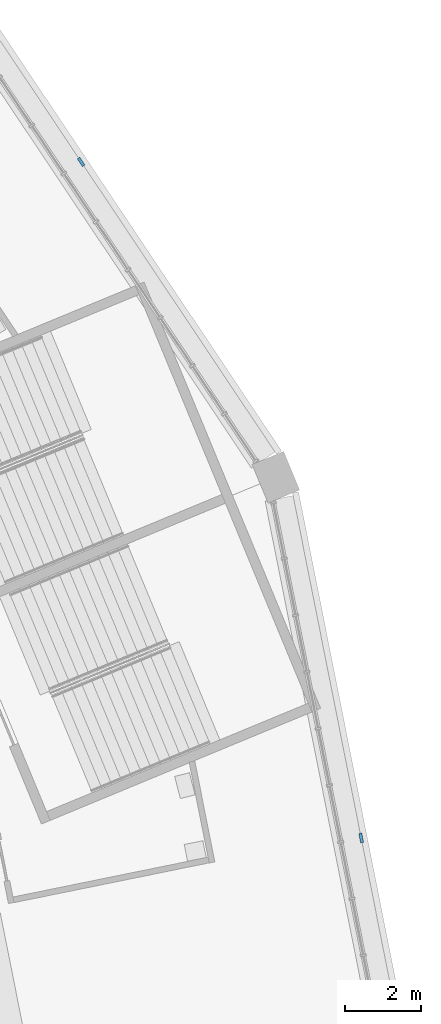
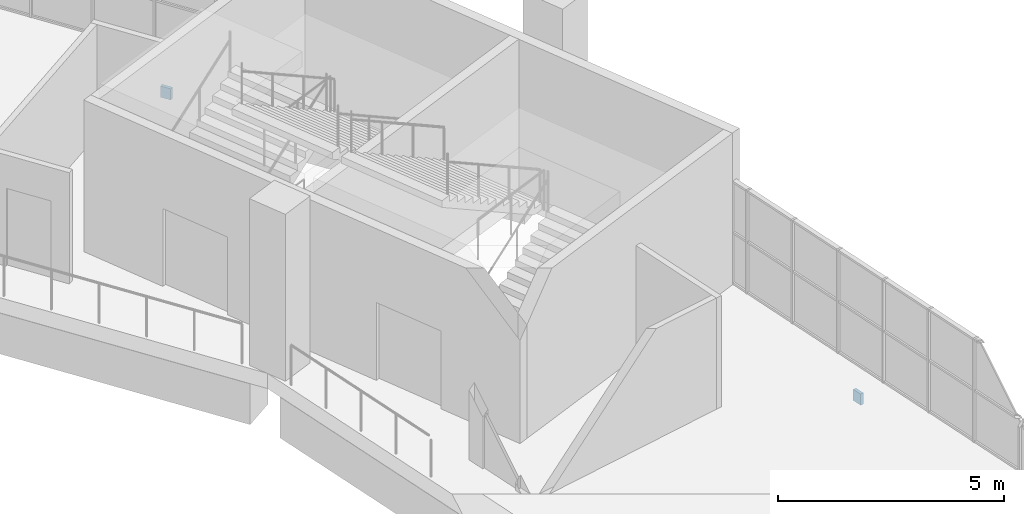
# One storey, part 82 of 177: 2 discrete accessories.
"""IFC4 building model written with IfcOpenShell, lengths in metres."""

import ifcopenshell
import ifcopenshell.guid

model = None  # the IFC model being written
_history = None  # IfcOwnerHistory: only IFC2X3 demands one
_inside = {}  # id of a spatial element -> (the spatial element, [elements in it])
_under = {}  # id of a project, library or spatial element -> (it, [spatial elements below it])
_declared = {}  # id of a project -> (the project, [libraries it declares])
_typed = {}  # id of a type object -> (the type object, [elements of that type])
_made_of = {}  # id of a material, layer set ... -> (it, [elements and type objects made of it])


def new_model(schema):
    """Start an empty IFC model of exactly this schema.

    Asked for "IFC4X3", IfcOpenShell would pick the latest addendum, in which some entities
    have other attributes; the version numbers below select the first issue.
    IFC2X3 requires an IfcOwnerHistory on every rooted entity: one is made here for all.
    """
    global model, _history
    if schema == "IFC4X3":
        model = ifcopenshell.file(schema_version=(4, 3, 0, 0))
    else:
        model = ifcopenshell.file(schema=schema)
    _inside.clear()
    _under.clear()
    _declared.clear()
    _typed.clear()
    _made_of.clear()
    _history = None
    if model.schema == "IFC2X3":
        org = make("IfcOrganization", Name="unknown")
        user = make(
            "IfcPersonAndOrganization",
            ThePerson=make("IfcPerson", FamilyName="unknown"),
            TheOrganization=org,
        )
        app = make(
            "IfcApplication",
            ApplicationDeveloper=org,
            Version="unknown",
            ApplicationFullName="unknown",
            ApplicationIdentifier="unknown",
        )
        _history = make(
            "IfcOwnerHistory",
            OwningUser=user,
            OwningApplication=app,
            ChangeAction="ADDED",
            CreationDate=0,
        )
    return model


def make(cls, **values):
    """One entity of the class cls with the attributes given. An attribute that is None is left unset."""
    return model.create_entity(
        cls, **{name: value for name, value in values.items() if value is not None}
    )


def rooted(cls, **values):
    """An entity with a GlobalId (a new one), such as an element, a storey or a relation."""
    return make(cls, GlobalId=ifcopenshell.guid.new(), OwnerHistory=_history, **values)


def si_unit(unit_type, name, prefix=None):
    """IfcSIUnit, for example si_unit("LENGTHUNIT", "METRE", prefix="MILLI")."""
    return make("IfcSIUnit", UnitType=unit_type, Prefix=prefix, Name=name)


def assignment(units):
    """IfcUnitAssignment: the units of a project."""
    return None if units is None else make("IfcUnitAssignment", Units=units)


def point(xyz):
    """IfcCartesianPoint."""
    return None if xyz is None else make("IfcCartesianPoint", Coordinates=xyz)


def direction(xyz):
    """IfcDirection."""
    return None if xyz is None else make("IfcDirection", DirectionRatios=xyz)


def frame(location, z_axis=None, x_axis=None):
    """IfcAxis2Placement3D, a coordinate frame: its origin and axes. An axis left out is left unset."""
    return make(
        "IfcAxis2Placement3D",
        Location=point(location),
        Axis=direction(z_axis),
        RefDirection=direction(x_axis),
    )


def frame_2d(location, x_axis=None):
    """IfcAxis2Placement2D, a coordinate frame in the plane: its origin and x axis."""
    return make(
        "IfcAxis2Placement2D", Location=point(location), RefDirection=direction(x_axis)
    )


def origin():
    """The frame at (0, 0, 0) with its axes left unset."""
    return frame((0.0, 0.0, 0.0))


def origin_2d():
    """The frame at (0, 0) in the plane with its x axis left unset."""
    return frame_2d((0.0, 0.0))


def place(relative_to, where):
    """IfcLocalPlacement: puts the frame where relative to a parent placement (None: the world)."""
    return make(
        "IfcLocalPlacement", PlacementRelTo=relative_to, RelativePlacement=where
    )


def context(
    kind, dimensions, precision=None, world=None, true_north=None, identifier=None
):
    """IfcGeometricRepresentationContext, for example the 3D "Model" context."""
    return make(
        "IfcGeometricRepresentationContext",
        ContextIdentifier=identifier,
        ContextType=kind,
        CoordinateSpaceDimension=dimensions,
        Precision=precision,
        WorldCoordinateSystem=world,
        TrueNorth=true_north,
    )


def subcontext(parent, identifier, kind, view, scale=None):
    """IfcGeometricRepresentationSubContext, for example "Body" below "Model"."""
    return make(
        "IfcGeometricRepresentationSubContext",
        ContextIdentifier=identifier,
        ContextType=kind,
        ParentContext=parent,
        TargetScale=scale,
        TargetView=view,
    )


def project(units=None, contexts=None):
    """IfcProject with its units and contexts."""
    return rooted(
        "IfcProject",
        Name="project",
        RepresentationContexts=contexts,
        UnitsInContext=assignment(units),
    )


def spatial(cls, under=None, at=None, **own):
    """A site, building, storey or space (cls), placed at a placement, below another one or the project."""
    s = rooted(cls, ObjectPlacement=at, **own)
    if under is not None:
        _under.setdefault(under.id(), (under, []))[1].append(s)
    return s


def profile(cls, at=None, kind="AREA", **sizes):
    """A parametric profile (cls). Its sizes go by their IFC names, for example OverallWidth=200.0."""
    return make(cls, ProfileType=kind, Position=at, **sizes)


def rectangle(**sizes):
    """IfcRectangleProfileDef."""
    return profile("IfcRectangleProfileDef", **sizes)


def extrude(swept, where, along, depth):
    """IfcExtrudedAreaSolid: the profile swept, set in the frame where, extruded along a direction by depth."""
    return make(
        "IfcExtrudedAreaSolid",
        SweptArea=swept,
        Position=where,
        ExtrudedDirection=direction(along),
        Depth=depth,
    )


def shape(context_of_items, identifier, shape_type, items):
    """IfcShapeRepresentation: the items that make up one representation, for example the "Body"."""
    return make(
        "IfcShapeRepresentation",
        ContextOfItems=context_of_items,
        RepresentationIdentifier=identifier,
        RepresentationType=shape_type,
        Items=items,
    )


def material(Name=None, Category=None):
    """IfcMaterial."""
    return make("IfcMaterial", Name=Name, Category=Category)


def layer(
    of_material, thickness, ventilated=None, Name=None, Category=None, Priority=None
):
    """IfcMaterialLayer: one layer of a wall or slab, of a material (None: an air gap)."""
    return make(
        "IfcMaterialLayer",
        Material=of_material,
        LayerThickness=thickness,
        IsVentilated=ventilated,
        Name=Name,
        Category=Category,
        Priority=Priority,
    )


def layer_set(layers, Name=None):
    """IfcMaterialLayerSet."""
    return make("IfcMaterialLayerSet", MaterialLayers=layers, LayerSetName=Name)


def made_of(thing, what):
    """Note that an element or type object is made of a material, layer set ...; save() writes the relation."""
    if what is not None:
        _made_of.setdefault(what.id(), (what, []))[1].append(thing)
    return thing


def type_object(cls, material=None, **own):
    """A type object (cls), such as IfcWallType, which elements share."""
    return made_of(rooted(cls, **own), material)


def element(
    cls,
    number,
    at=None,
    inside=None,
    cuts=None,
    type_object=None,
    material=None,
    context=None,
    identifier="Body",
    shape_type=None,
    held_by="IfcProductDefinitionShape",
    body=None,
    shapes=None,
    **own,
):
    """One element of the class cls, such as IfcWall. Its Tag is "e" and its number.

    at: its placement. inside: the storey or other place that contains it. cuts: it is an
    opening in that element (IfcRelVoidsElement). A single representation is given by context,
    identifier, shape_type and body (its items); several are given by shapes. held_by: the class
    of the entity that holds the representations. save() writes the other relations.
    """
    e = rooted(cls, Tag="e%d" % number, ObjectPlacement=at, **own)
    if body is not None:
        shapes = [shape(context, identifier, shape_type, body)]
    if shapes is not None:
        e.Representation = make(held_by, Representations=shapes)
    if inside is not None:
        _inside.setdefault(inside.id(), (inside, []))[1].append(e)
    if cuts is not None:
        rooted(
            "IfcRelVoidsElement", RelatingBuildingElement=cuts, RelatedOpeningElement=e
        )
    if type_object is not None:
        _typed.setdefault(type_object.id(), (type_object, []))[1].append(e)
    return made_of(e, material)


def aggregate(whole, parts):
    """IfcRelAggregates: a whole, such as a stair, and the parts it consists of."""
    return rooted("IfcRelAggregates", RelatingObject=whole, RelatedObjects=parts)


def save(model, path):
    """Write the relations noted so far, then the file.

    IfcRelAggregates (storeys below a building ...), IfcRelContainedInSpatialStructure (elements
    in a storey), IfcRelDefinesByType, IfcRelAssociatesMaterial and IfcRelDeclares: one each for
    every whole, place, type object, material and project.
    """
    for whole, parts in _under.values():
        aggregate(whole, parts)
    for where, things in _inside.values():
        rooted(
            "IfcRelContainedInSpatialStructure",
            RelatedElements=things,
            RelatingStructure=where,
        )
    for kind, things in _typed.values():
        rooted("IfcRelDefinesByType", RelatedObjects=things, RelatingType=kind)
    for what, things in _made_of.values():
        rooted("IfcRelAssociatesMaterial", RelatedObjects=things, RelatingMaterial=what)
    for by, libraries in _declared.values():
        rooted("IfcRelDeclares", RelatingContext=by, RelatedDefinitions=libraries)
    model.write(path)


model = new_model("IFC4")

# Units and contexts
model_context = context("Model", 3, precision=1e-05, world=origin(), true_north=direction((0.0, 1.0)))
body_context = subcontext(model_context, "Body", "Model", "MODEL_VIEW")
ifc_project = project(units=[si_unit("LENGTHUNIT", "METRE"), si_unit("AREAUNIT", "SQUARE_METRE"), si_unit("VOLUMEUNIT", "CUBIC_METRE"), si_unit("PLANEANGLEUNIT", "RADIAN"), si_unit("MASSUNIT", "GRAM", prefix="KILO")], contexts=[model_context])

# Site, building, storey
site_placement = place(None, origin())
site = spatial("IfcSite", under=ifc_project, at=site_placement, CompositionType="ELEMENT")
building_placement = place(site_placement, origin())
building = spatial("IfcBuilding", under=site, at=building_placement, Name="Ogive Plaza Stadium", CompositionType="ELEMENT")
storey_placement = place(building_placement, frame((0.0, 0.0, 18.0)))
storey = spatial("IfcBuildingStorey", under=building, at=storey_placement, Name="L04", CompositionType="ELEMENT", Elevation=18.0)

# Discrete accessories
ifc_material = material(Name="Steel ASTM A572 Grade 50", Category="steel")
ifc_layer = layer(ifc_material, 0.080078125)
ifc_layer_set = layer_set([ifc_layer], Name="Steel ASTM A572 Grade 50")
discrete_accessory_type = type_object("IfcDiscreteAccessoryType", Name="Spandrel cladding bracket 250x300", PredefinedType="BRACKET", material=ifc_layer_set)
for number, where, z_axis, x_axis, name in (
    (1, (75.065673828125, 79.939208984375, -1.60986328125), (0.0, 0.0, 1.0), (0.555570233005, -0.831469612312, 0.0), "SPANDREL BRACKET B39 L04"),
    (2, (82.440185546875, 62.135498046875, -1.60986328125), (0.0, 0.0, 1.0), (0.195090321965, -0.980785280413, 0.0), "SPANDREL BRACKET B40 L04"),
):
    element("IfcDiscreteAccessory", number, at=place(storey_placement, frame(where, z_axis=z_axis, x_axis=x_axis)), inside=storey, type_object=discrete_accessory_type, Name=name, PredefinedType="BRACKET", context=body_context, shape_type="SweptSolid", body=[
        extrude(rectangle(XDim=0.25, YDim=0.080078125, at=origin_2d()), origin(), (0.0, 0.0, 1.0), 0.300048828125),
    ])

save(model, "model.ifc")
